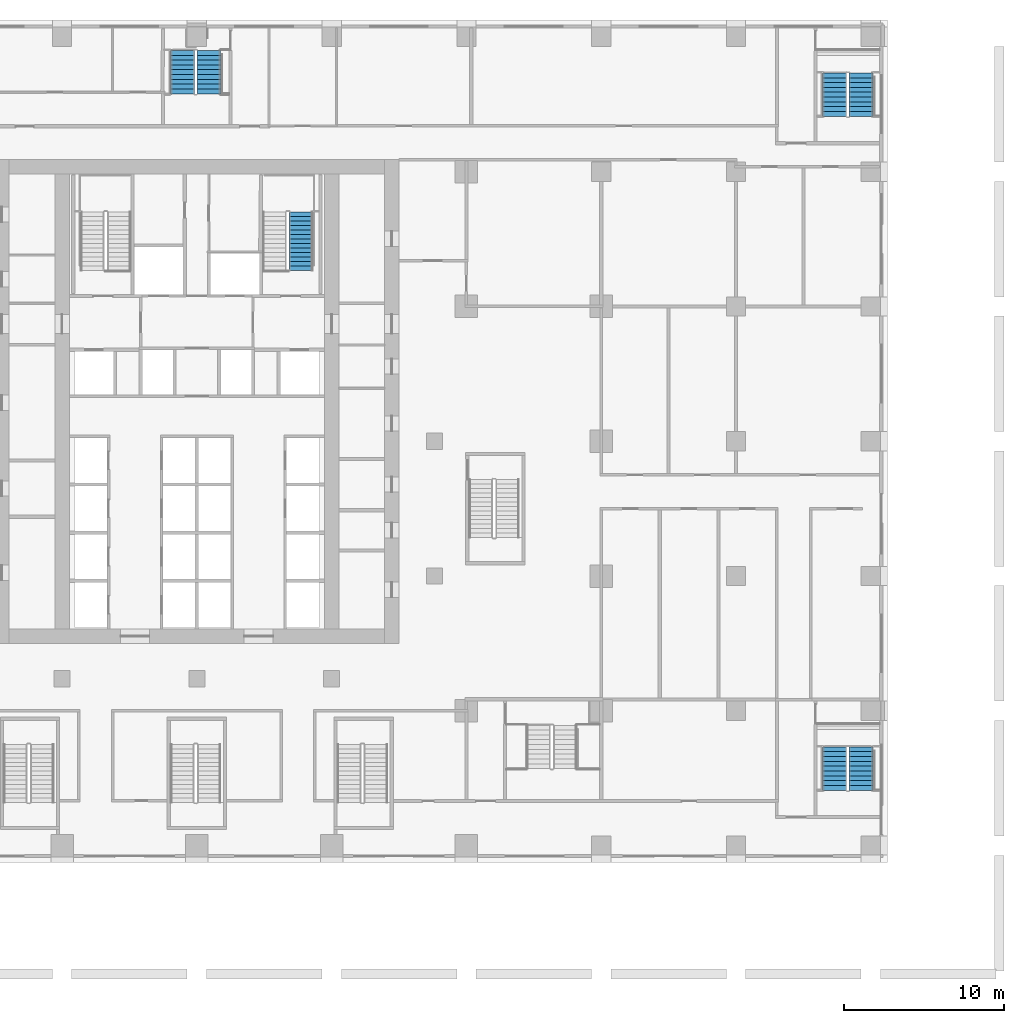
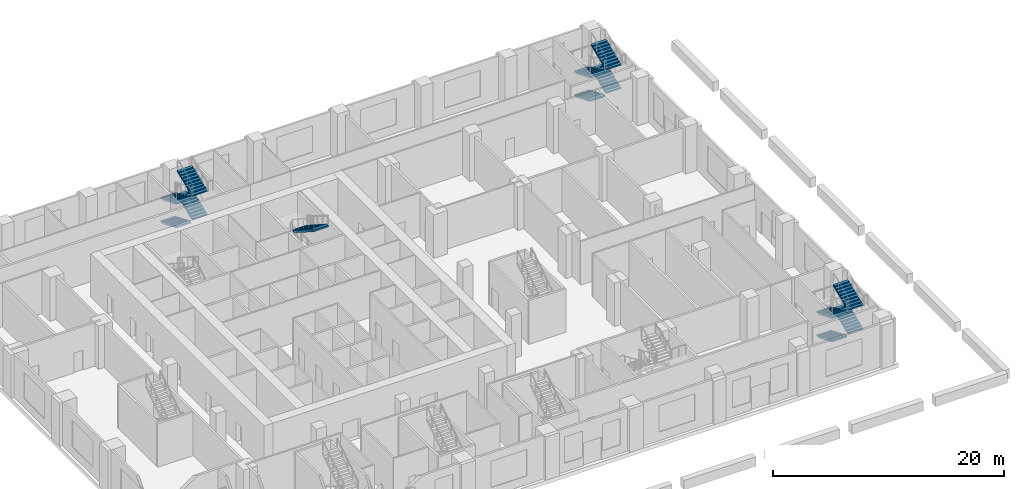
# One storey, part 12 of 21: 13 stair flights, 4 elements without a shape of their own.
"""IFC4 building model written with IfcOpenShell, lengths in metres."""

from ifc_helpers import new_model, si_unit, direction, frame, origin, place, context, subcontext, project, spatial, polyline, outline, extrude, material, type_object, element, aggregate, save


model = new_model("IFC4")

# Units and contexts
model_context = context("Model", 3, precision=1e-05, world=origin(), true_north=direction((0.0, 1.0)))
body_context = subcontext(model_context, "Body", "Model", "MODEL_VIEW")
ifc_project = project(units=[si_unit("LENGTHUNIT", "METRE"), si_unit("AREAUNIT", "SQUARE_METRE"), si_unit("VOLUMEUNIT", "CUBIC_METRE"), si_unit("PLANEANGLEUNIT", "RADIAN"), si_unit("MASSUNIT", "GRAM", prefix="KILO")], contexts=[model_context])

# Site, building, storey
site_placement = place(None, origin())
site = spatial("IfcSite", under=ifc_project, at=site_placement, CompositionType="ELEMENT")
building_placement = place(site_placement, origin())
building = spatial("IfcBuilding", under=site, at=building_placement, Name="Vermilion Ogive Tower", CompositionType="ELEMENT")
storey_placement = place(building_placement, frame((0.0, 0.0, 25.0)))
storey = spatial("IfcBuildingStorey", under=building, at=storey_placement, Name="L04", CompositionType="ELEMENT", Elevation=25.0)

# Stair, stair flight
ifc_material_1 = material(Name="Concrete B40", Category="concrete")
stair_type = type_object("IfcStairType", Name="Exit stair 1500", PredefinedType="HALF_TURN_STAIR", material=ifc_material_1)
stair_1_placement = place(storey_placement, origin())
stair_1 = element("IfcStair", 1, at=stair_1_placement, inside=storey, type_object=stair_type, Name="L04 Exit Stair ST2", PredefinedType="HALF_TURN_STAIR")
ifc_material_2 = material(Name="Concrete B40", Category="concrete")
stair_flight_type = type_object("IfcStairFlightType", Name="Stair flight 1500", PredefinedType="STRAIGHT", material=ifc_material_2)
stair_flight_1_placement = place(storey_placement, frame((6.5, 18.489990234375, 2.5), z_axis=(0.0, 0.0, 1.0), x_axis=(0.0, -1.0, 0.0)))
stair_flight_1 = element("IfcStairFlight", 2, at=stair_flight_1_placement, type_object=stair_flight_type, Name="ST2 flight 2", NumberOfRisers=14, NumberOfTreads=13, PredefinedType="STRAIGHT", RiserHeight=0.178571429, TreadLength=0.28, context=body_context, shape_type="SweptSolid", body=[
    extrude(outline(polyline([(0.0, 0.0), (0.0, 0.178466796875), (0.280029296875, 0.178466796875), (0.280029296875, 0.357177734375), (0.56005859375, 0.357177734375), (0.56005859375, 0.53564453125), (0.840087890625, 0.53564453125), (0.840087890625, 0.71435546875), (1.1201171875, 0.71435546875), (1.1201171875, 0.892822265625), (1.39990234375, 0.892822265625), (1.39990234375, 1.071533203125), (1.679931640625, 1.071533203125), (1.679931640625, 1.25), (1.9599609375, 1.25), (1.9599609375, 1.428466796875), (2.239990234375, 1.428466796875), (2.239990234375, 1.607177734375), (2.52001953125, 1.607177734375), (2.52001953125, 1.78564453125), (2.800048828125, 1.78564453125), (2.800048828125, 1.96435546875), (3.080078125, 1.96435546875), (3.080078125, 2.142822265625), (3.360107421875, 2.142822265625), (3.360107421875, 2.321533203125), (3.639892578125, 2.321533203125), (3.639892578125, 2.5), (3.639892578125, 2.1435546875), (0.27880859375, 0.0), (0.0, 0.0)])), frame((0.0, 0.75, 0.0), z_axis=(0.0, -1.0, 0.0), x_axis=(1.0, 0.0, 0.0)), (0.0, 0.0, 1.0), 1.5),
])
aggregate(stair_1, [stair_flight_1])

# Stair, stair flights
stair_2_placement = place(storey_placement, origin())
stair_2 = element("IfcStair", 3, at=stair_2_placement, inside=storey, type_object=stair_type, Name="L04 Exit Stair PS2", PredefinedType="HALF_TURN_STAIR")
stair_flight_2_placement = place(storey_placement, frame((39.75, 27.14990234375, 0.0), z_axis=(0.0, 0.0, 1.0), x_axis=(0.0, -1.0, 0.0)))
stair_flight_2 = element("IfcStairFlight", 4, at=stair_flight_2_placement, type_object=stair_flight_type, Name="PS2 flight 1", NumberOfRisers=10, NumberOfTreads=9, PredefinedType="STRAIGHT", RiserHeight=0.125, TreadLength=0.3, context=body_context, shape_type="SweptSolid", body=[
    extrude(outline(polyline([(0.0, 0.0), (0.0, 0.125), (0.300048828125, 0.125), (0.300048828125, 0.25), (0.60009765625, 0.25), (0.60009765625, 0.375), (0.89990234375, 0.375), (0.89990234375, 0.5), (1.199951171875, 0.5), (1.199951171875, 0.625), (1.5, 0.625), (1.5, 0.75), (1.800048828125, 0.75), (1.800048828125, 0.875), (2.10009765625, 0.875), (2.10009765625, 1.0), (2.39990234375, 1.0), (2.39990234375, 1.125), (2.699951171875, 1.125), (2.699951171875, 1.25), (2.699951171875, 0.962646484375), (0.3896484375, 0.0), (0.0, 0.0)])), frame((0.0, 0.75, 0.0), z_axis=(0.0, -1.0, 0.0), x_axis=(1.0, 0.0, 0.0)), (0.0, 0.0, 1.0), 1.5),
])
stair_flight_3_placement = place(storey_placement, frame((41.39990234375, 24.449951171875, 1.25), z_axis=(0.0, 0.0, 1.0), x_axis=(0.0, 1.0, 0.0)))
stair_flight_3 = element("IfcStairFlight", 5, at=stair_flight_3_placement, type_object=stair_flight_type, Name="PS2 flight 2", NumberOfRisers=10, NumberOfTreads=9, PredefinedType="STRAIGHT", RiserHeight=0.125, TreadLength=0.3, context=body_context, shape_type="SweptSolid", body=[
    extrude(outline(polyline([(0.0, 0.0), (0.0, 0.125), (0.300048828125, 0.125), (0.300048828125, 0.25), (0.60009765625, 0.25), (0.60009765625, 0.375), (0.89990234375, 0.375), (0.89990234375, 0.5), (1.199951171875, 0.5), (1.199951171875, 0.625), (1.5, 0.625), (1.5, 0.75), (1.800048828125, 0.75), (1.800048828125, 0.875), (2.10009765625, 0.875), (2.10009765625, 1.0), (2.39990234375, 1.0), (2.39990234375, 1.125), (2.699951171875, 1.125), (2.699951171875, 1.25), (2.699951171875, 0.962646484375), (0.3896484375, 0.0), (0.0, 0.0)])), frame((0.0, 0.75, 0.0), z_axis=(0.0, -1.0, 0.0), x_axis=(1.0, 0.0, 0.0)), (0.0, 0.0, 1.0), 1.5),
])
stair_flight_4_placement = place(storey_placement, frame((39.75, 27.14990234375, 2.5), z_axis=(0.0, 0.0, 1.0), x_axis=(0.0, -1.0, 0.0)))
stair_flight_4 = element("IfcStairFlight", 6, at=stair_flight_4_placement, type_object=stair_flight_type, Name="PS2 flight 3", NumberOfRisers=10, NumberOfTreads=9, PredefinedType="STRAIGHT", RiserHeight=0.125, TreadLength=0.3, context=body_context, shape_type="SweptSolid", body=[
    extrude(outline(polyline([(0.0, 0.0), (0.0, 0.125), (0.300048828125, 0.125), (0.300048828125, 0.25), (0.60009765625, 0.25), (0.60009765625, 0.375), (0.89990234375, 0.375), (0.89990234375, 0.5), (1.199951171875, 0.5), (1.199951171875, 0.625), (1.5, 0.625), (1.5, 0.75), (1.800048828125, 0.75), (1.800048828125, 0.875), (2.10009765625, 0.875), (2.10009765625, 1.0), (2.39990234375, 1.0), (2.39990234375, 1.125), (2.699951171875, 1.125), (2.699951171875, 1.25), (2.699951171875, 0.962646484375), (0.3896484375, 0.0), (0.0, 0.0)])), frame((0.0, 0.75, 0.0), z_axis=(0.0, -1.0, 0.0), x_axis=(1.0, 0.0, 0.0)), (0.0, 0.0, 1.0), 1.5),
])
stair_flight_5_placement = place(storey_placement, frame((41.39990234375, 24.449951171875, 3.75), z_axis=(0.0, 0.0, 1.0), x_axis=(0.0, 1.0, 0.0)))
stair_flight_5 = element("IfcStairFlight", 7, at=stair_flight_5_placement, type_object=stair_flight_type, Name="PS2 flight 4", NumberOfRisers=10, NumberOfTreads=9, PredefinedType="STRAIGHT", RiserHeight=0.125, TreadLength=0.3, context=body_context, shape_type="SweptSolid", body=[
    extrude(outline(polyline([(0.0, 0.0), (0.0, 0.125), (0.300048828125, 0.125), (0.300048828125, 0.25), (0.60009765625, 0.25), (0.60009765625, 0.375), (0.89990234375, 0.375), (0.89990234375, 0.5), (1.199951171875, 0.5), (1.199951171875, 0.625), (1.5, 0.625), (1.5, 0.75), (1.800048828125, 0.75), (1.800048828125, 0.875), (2.10009765625, 0.875), (2.10009765625, 1.0), (2.39990234375, 1.0), (2.39990234375, 1.125), (2.699951171875, 1.125), (2.699951171875, 1.25), (2.699951171875, 0.962646484375), (0.3896484375, 0.0), (0.0, 0.0)])), frame((0.0, 0.75, 0.0), z_axis=(0.0, -1.0, 0.0), x_axis=(1.0, 0.0, 0.0)), (0.0, 0.0, 1.0), 1.5),
])
aggregate(stair_2, [stair_flight_2, stair_flight_3, stair_flight_4, stair_flight_5])

stair_3_placement = place(storey_placement, origin())
stair_3 = element("IfcStair", 8, at=stair_3_placement, inside=storey, type_object=stair_type, Name="L04 Exit Stair PS5", PredefinedType="HALF_TURN_STAIR")
stair_flight_6_placement = place(storey_placement, frame((-0.89990234375, 28.550048828125, 0.0), z_axis=(0.0, 0.0, 1.0), x_axis=(0.0, -1.0, 0.0)))
stair_flight_6 = element("IfcStairFlight", 9, at=stair_flight_6_placement, type_object=stair_flight_type, Name="PS5 flight 1", NumberOfRisers=10, NumberOfTreads=9, PredefinedType="STRAIGHT", RiserHeight=0.125, TreadLength=0.3, context=body_context, shape_type="SweptSolid", body=[
    extrude(outline(polyline([(0.0, 0.0), (0.0, 0.125), (0.300048828125, 0.125), (0.300048828125, 0.25), (0.60009765625, 0.25), (0.60009765625, 0.375), (0.89990234375, 0.375), (0.89990234375, 0.5), (1.199951171875, 0.5), (1.199951171875, 0.625), (1.5, 0.625), (1.5, 0.75), (1.800048828125, 0.75), (1.800048828125, 0.875), (2.10009765625, 0.875), (2.10009765625, 1.0), (2.39990234375, 1.0), (2.39990234375, 1.125), (2.699951171875, 1.125), (2.699951171875, 1.25), (2.699951171875, 0.962646484375), (0.3896484375, 0.0), (0.0, 0.0)])), frame((0.0, 0.75, 0.0), z_axis=(0.0, -1.0, 0.0), x_axis=(1.0, 0.0, 0.0)), (0.0, 0.0, 1.0), 1.5),
])
stair_flight_7_placement = place(storey_placement, frame((0.75, 25.85009765625, 1.25), z_axis=(0.0, 0.0, 1.0), x_axis=(0.0, 1.0, 0.0)))
stair_flight_7 = element("IfcStairFlight", 10, at=stair_flight_7_placement, type_object=stair_flight_type, Name="PS5 flight 2", NumberOfRisers=10, NumberOfTreads=9, PredefinedType="STRAIGHT", RiserHeight=0.125, TreadLength=0.3, context=body_context, shape_type="SweptSolid", body=[
    extrude(outline(polyline([(0.0, 0.0), (0.0, 0.125), (0.300048828125, 0.125), (0.300048828125, 0.25), (0.60009765625, 0.25), (0.60009765625, 0.375), (0.89990234375, 0.375), (0.89990234375, 0.5), (1.199951171875, 0.5), (1.199951171875, 0.625), (1.5, 0.625), (1.5, 0.75), (1.800048828125, 0.75), (1.800048828125, 0.875), (2.10009765625, 0.875), (2.10009765625, 1.0), (2.39990234375, 1.0), (2.39990234375, 1.125), (2.699951171875, 1.125), (2.699951171875, 1.25), (2.699951171875, 0.962646484375), (0.3896484375, 0.0), (0.0, 0.0)])), frame((0.0, 0.75, 0.0), z_axis=(0.0, -1.0, 0.0), x_axis=(1.0, 0.0, 0.0)), (0.0, 0.0, 1.0), 1.5),
])
stair_flight_8_placement = place(storey_placement, frame((-0.89990234375, 28.550048828125, 2.5), z_axis=(0.0, 0.0, 1.0), x_axis=(0.0, -1.0, 0.0)))
stair_flight_8 = element("IfcStairFlight", 11, at=stair_flight_8_placement, type_object=stair_flight_type, Name="PS5 flight 3", NumberOfRisers=10, NumberOfTreads=9, PredefinedType="STRAIGHT", RiserHeight=0.125, TreadLength=0.3, context=body_context, shape_type="SweptSolid", body=[
    extrude(outline(polyline([(0.0, 0.0), (0.0, 0.125), (0.300048828125, 0.125), (0.300048828125, 0.25), (0.60009765625, 0.25), (0.60009765625, 0.375), (0.89990234375, 0.375), (0.89990234375, 0.5), (1.199951171875, 0.5), (1.199951171875, 0.625), (1.5, 0.625), (1.5, 0.75), (1.800048828125, 0.75), (1.800048828125, 0.875), (2.10009765625, 0.875), (2.10009765625, 1.0), (2.39990234375, 1.0), (2.39990234375, 1.125), (2.699951171875, 1.125), (2.699951171875, 1.25), (2.699951171875, 0.962646484375), (0.3896484375, 0.0), (0.0, 0.0)])), frame((0.0, 0.75, 0.0), z_axis=(0.0, -1.0, 0.0), x_axis=(1.0, 0.0, 0.0)), (0.0, 0.0, 1.0), 1.5),
])
stair_flight_9_placement = place(storey_placement, frame((0.75, 25.85009765625, 3.75), z_axis=(0.0, 0.0, 1.0), x_axis=(0.0, 1.0, 0.0)))
stair_flight_9 = element("IfcStairFlight", 12, at=stair_flight_9_placement, type_object=stair_flight_type, Name="PS5 flight 4", NumberOfRisers=10, NumberOfTreads=9, PredefinedType="STRAIGHT", RiserHeight=0.125, TreadLength=0.3, context=body_context, shape_type="SweptSolid", body=[
    extrude(outline(polyline([(0.0, 0.0), (0.0, 0.125), (0.300048828125, 0.125), (0.300048828125, 0.25), (0.60009765625, 0.25), (0.60009765625, 0.375), (0.89990234375, 0.375), (0.89990234375, 0.5), (1.199951171875, 0.5), (1.199951171875, 0.625), (1.5, 0.625), (1.5, 0.75), (1.800048828125, 0.75), (1.800048828125, 0.875), (2.10009765625, 0.875), (2.10009765625, 1.0), (2.39990234375, 1.0), (2.39990234375, 1.125), (2.699951171875, 1.125), (2.699951171875, 1.25), (2.699951171875, 0.962646484375), (0.3896484375, 0.0), (0.0, 0.0)])), frame((0.0, 0.75, 0.0), z_axis=(0.0, -1.0, 0.0), x_axis=(1.0, 0.0, 0.0)), (0.0, 0.0, 1.0), 1.5),
])
aggregate(stair_3, [stair_flight_6, stair_flight_7, stair_flight_8, stair_flight_9])

stair_4_placement = place(storey_placement, origin())
stair_4 = element("IfcStair", 13, at=stair_4_placement, inside=storey, type_object=stair_type, Name="L04 Exit Stair PS6", PredefinedType="HALF_TURN_STAIR")
stair_flight_10_placement = place(storey_placement, frame((39.75, -14.85009765625, 0.0), z_axis=(0.0, 0.0, 1.0), x_axis=(0.0, -1.0, 0.0)))
stair_flight_10 = element("IfcStairFlight", 14, at=stair_flight_10_placement, type_object=stair_flight_type, Name="PS6 flight 1", NumberOfRisers=10, NumberOfTreads=9, PredefinedType="STRAIGHT", RiserHeight=0.125, TreadLength=0.3, context=body_context, shape_type="SweptSolid", body=[
    extrude(outline(polyline([(0.0, 0.0), (0.0, 0.125), (0.300048828125, 0.125), (0.300048828125, 0.25), (0.60009765625, 0.25), (0.60009765625, 0.375), (0.89990234375, 0.375), (0.89990234375, 0.5), (1.199951171875, 0.5), (1.199951171875, 0.625), (1.5, 0.625), (1.5, 0.75), (1.800048828125, 0.75), (1.800048828125, 0.875), (2.10009765625, 0.875), (2.10009765625, 1.0), (2.39990234375, 1.0), (2.39990234375, 1.125), (2.699951171875, 1.125), (2.699951171875, 1.25), (2.699951171875, 0.962646484375), (0.3896484375, 0.0), (0.0, 0.0)])), frame((0.0, 0.75, 0.0), z_axis=(0.0, -1.0, 0.0), x_axis=(1.0, 0.0, 0.0)), (0.0, 0.0, 1.0), 1.5),
])
stair_flight_11_placement = place(storey_placement, frame((41.39990234375, -17.550048828125, 1.25), z_axis=(0.0, 0.0, 1.0), x_axis=(0.0, 1.0, 0.0)))
stair_flight_11 = element("IfcStairFlight", 15, at=stair_flight_11_placement, type_object=stair_flight_type, Name="PS6 flight 2", NumberOfRisers=10, NumberOfTreads=9, PredefinedType="STRAIGHT", RiserHeight=0.125, TreadLength=0.3, context=body_context, shape_type="SweptSolid", body=[
    extrude(outline(polyline([(0.0, 0.0), (0.0, 0.125), (0.300048828125, 0.125), (0.300048828125, 0.25), (0.60009765625, 0.25), (0.60009765625, 0.375), (0.89990234375, 0.375), (0.89990234375, 0.5), (1.199951171875, 0.5), (1.199951171875, 0.625), (1.5, 0.625), (1.5, 0.75), (1.800048828125, 0.75), (1.800048828125, 0.875), (2.10009765625, 0.875), (2.10009765625, 1.0), (2.39990234375, 1.0), (2.39990234375, 1.125), (2.699951171875, 1.125), (2.699951171875, 1.25), (2.699951171875, 0.962646484375), (0.3896484375, 0.0), (0.0, 0.0)])), frame((0.0, 0.75, 0.0), z_axis=(0.0, -1.0, 0.0), x_axis=(1.0, 0.0, 0.0)), (0.0, 0.0, 1.0), 1.5),
])
stair_flight_12_placement = place(storey_placement, frame((39.75, -14.85009765625, 2.5), z_axis=(0.0, 0.0, 1.0), x_axis=(0.0, -1.0, 0.0)))
stair_flight_12 = element("IfcStairFlight", 16, at=stair_flight_12_placement, type_object=stair_flight_type, Name="PS6 flight 3", NumberOfRisers=10, NumberOfTreads=9, PredefinedType="STRAIGHT", RiserHeight=0.125, TreadLength=0.3, context=body_context, shape_type="SweptSolid", body=[
    extrude(outline(polyline([(0.0, 0.0), (0.0, 0.125), (0.300048828125, 0.125), (0.300048828125, 0.25), (0.60009765625, 0.25), (0.60009765625, 0.375), (0.89990234375, 0.375), (0.89990234375, 0.5), (1.199951171875, 0.5), (1.199951171875, 0.625), (1.5, 0.625), (1.5, 0.75), (1.800048828125, 0.75), (1.800048828125, 0.875), (2.10009765625, 0.875), (2.10009765625, 1.0), (2.39990234375, 1.0), (2.39990234375, 1.125), (2.699951171875, 1.125), (2.699951171875, 1.25), (2.699951171875, 0.962646484375), (0.3896484375, 0.0), (0.0, 0.0)])), frame((0.0, 0.75, 0.0), z_axis=(0.0, -1.0, 0.0), x_axis=(1.0, 0.0, 0.0)), (0.0, 0.0, 1.0), 1.5),
])
stair_flight_13_placement = place(storey_placement, frame((41.39990234375, -17.550048828125, 3.75), z_axis=(0.0, 0.0, 1.0), x_axis=(0.0, 1.0, 0.0)))
stair_flight_13 = element("IfcStairFlight", 17, at=stair_flight_13_placement, type_object=stair_flight_type, Name="PS6 flight 4", NumberOfRisers=10, NumberOfTreads=9, PredefinedType="STRAIGHT", RiserHeight=0.125, TreadLength=0.3, context=body_context, shape_type="SweptSolid", body=[
    extrude(outline(polyline([(0.0, 0.0), (0.0, 0.125), (0.300048828125, 0.125), (0.300048828125, 0.25), (0.60009765625, 0.25), (0.60009765625, 0.375), (0.89990234375, 0.375), (0.89990234375, 0.5), (1.199951171875, 0.5), (1.199951171875, 0.625), (1.5, 0.625), (1.5, 0.75), (1.800048828125, 0.75), (1.800048828125, 0.875), (2.10009765625, 0.875), (2.10009765625, 1.0), (2.39990234375, 1.0), (2.39990234375, 1.125), (2.699951171875, 1.125), (2.699951171875, 1.25), (2.699951171875, 0.962646484375), (0.3896484375, 0.0), (0.0, 0.0)])), frame((0.0, 0.75, 0.0), z_axis=(0.0, -1.0, 0.0), x_axis=(1.0, 0.0, 0.0)), (0.0, 0.0, 1.0), 1.5),
])
aggregate(stair_4, [stair_flight_10, stair_flight_11, stair_flight_12, stair_flight_13])

save(model, "model.ifc")
